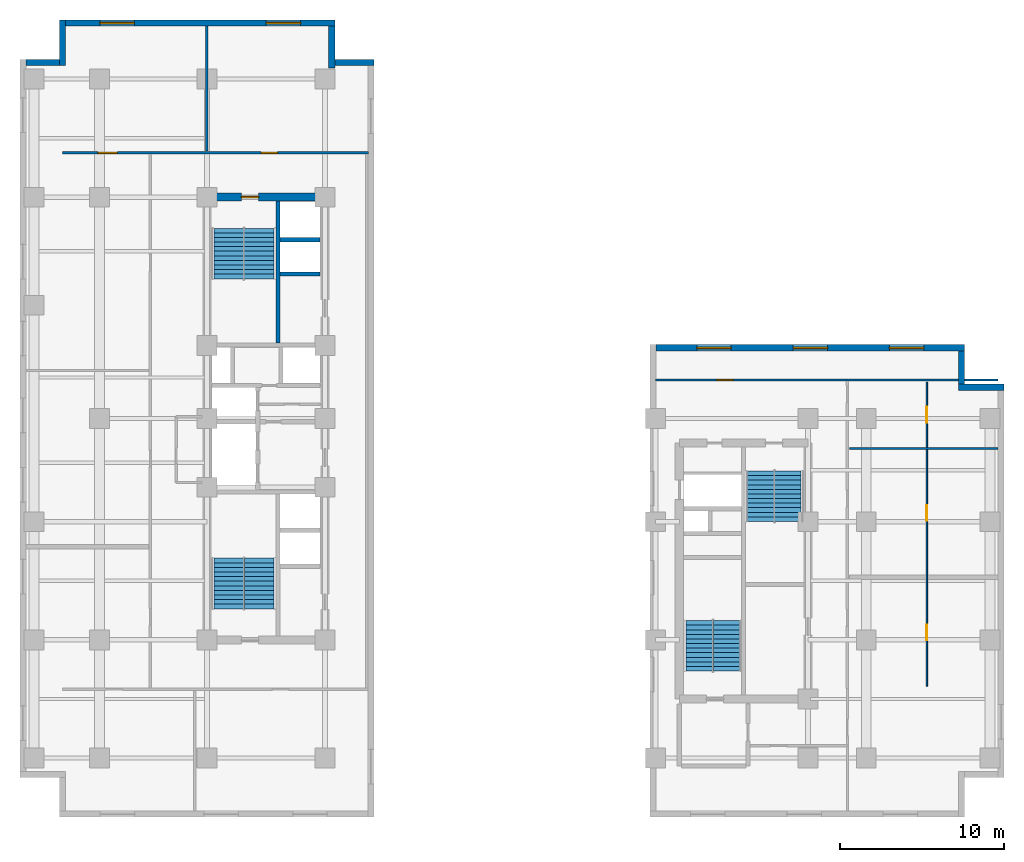
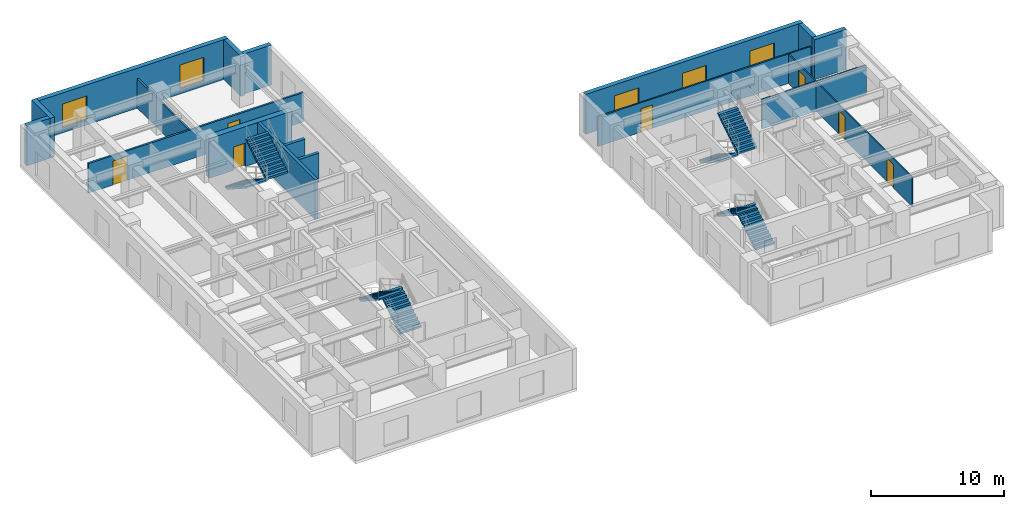
# One storey, part 5 of 8: 17 walls, 8 stair flights, 7 doors, 5 windows, 12 openings, 4 elements without a shape of their own.
"""IFC4 building model written with IfcOpenShell, lengths in metres."""

import ifcopenshell
import ifcopenshell.guid

model = None  # the IFC model being written
_history = None  # IfcOwnerHistory: only IFC2X3 demands one
_inside = {}  # id of a spatial element -> (the spatial element, [elements in it])
_under = {}  # id of a project, library or spatial element -> (it, [spatial elements below it])
_declared = {}  # id of a project -> (the project, [libraries it declares])
_typed = {}  # id of a type object -> (the type object, [elements of that type])
_made_of = {}  # id of a material, layer set ... -> (it, [elements and type objects made of it])


def new_model(schema):
    """Start an empty IFC model of exactly this schema.

    Asked for "IFC4X3", IfcOpenShell would pick the latest addendum, in which some entities
    have other attributes; the version numbers below select the first issue.
    IFC2X3 requires an IfcOwnerHistory on every rooted entity: one is made here for all.
    """
    global model, _history
    if schema == "IFC4X3":
        model = ifcopenshell.file(schema_version=(4, 3, 0, 0))
    else:
        model = ifcopenshell.file(schema=schema)
    _inside.clear()
    _under.clear()
    _declared.clear()
    _typed.clear()
    _made_of.clear()
    _history = None
    if model.schema == "IFC2X3":
        org = make("IfcOrganization", Name="unknown")
        user = make(
            "IfcPersonAndOrganization",
            ThePerson=make("IfcPerson", FamilyName="unknown"),
            TheOrganization=org,
        )
        app = make(
            "IfcApplication",
            ApplicationDeveloper=org,
            Version="unknown",
            ApplicationFullName="unknown",
            ApplicationIdentifier="unknown",
        )
        _history = make(
            "IfcOwnerHistory",
            OwningUser=user,
            OwningApplication=app,
            ChangeAction="ADDED",
            CreationDate=0,
        )
    return model


def make(cls, **values):
    """One entity of the class cls with the attributes given. An attribute that is None is left unset."""
    return model.create_entity(
        cls, **{name: value for name, value in values.items() if value is not None}
    )


def entity(cls, *values):
    """Any entity or typed value of the class cls, its attributes in the order of the schema. None: left unset."""
    e = model.create_entity(cls)
    for i, value in enumerate(values):
        if value is not None:
            e[i] = value
    return e


def rooted(cls, **values):
    """An entity with a GlobalId (a new one), such as an element, a storey or a relation."""
    return make(cls, GlobalId=ifcopenshell.guid.new(), OwnerHistory=_history, **values)


def si_unit(unit_type, name, prefix=None):
    """IfcSIUnit, for example si_unit("LENGTHUNIT", "METRE", prefix="MILLI")."""
    return make("IfcSIUnit", UnitType=unit_type, Prefix=prefix, Name=name)


def converted_unit(unit_type, name, factor, base, dimensions=None, offset=None):
    """IfcConversionBasedUnit, such as the inch: factor (a typed value) times the base unit."""
    return make(
        "IfcConversionBasedUnit"
        if offset is None
        else "IfcConversionBasedUnitWithOffset",
        ConversionOffset=offset,
        Dimensions=None
        if dimensions is None
        else entity("IfcDimensionalExponents", *dimensions),
        UnitType=unit_type,
        Name=name,
        ConversionFactor=make(
            "IfcMeasureWithUnit", ValueComponent=factor, UnitComponent=base
        ),
    )


def assignment(units):
    """IfcUnitAssignment: the units of a project."""
    return None if units is None else make("IfcUnitAssignment", Units=units)


def point(xyz):
    """IfcCartesianPoint."""
    return None if xyz is None else make("IfcCartesianPoint", Coordinates=xyz)


def direction(xyz):
    """IfcDirection."""
    return None if xyz is None else make("IfcDirection", DirectionRatios=xyz)


def frame(location, z_axis=None, x_axis=None):
    """IfcAxis2Placement3D, a coordinate frame: its origin and axes. An axis left out is left unset."""
    return make(
        "IfcAxis2Placement3D",
        Location=point(location),
        Axis=direction(z_axis),
        RefDirection=direction(x_axis),
    )


def frame_2d(location, x_axis=None):
    """IfcAxis2Placement2D, a coordinate frame in the plane: its origin and x axis."""
    return make(
        "IfcAxis2Placement2D", Location=point(location), RefDirection=direction(x_axis)
    )


def origin_with_axes():
    """The frame at (0, 0, 0) with the z axis (0, 0, 1) and the x axis (1, 0, 0) written out."""
    return frame((0.0, 0.0, 0.0), z_axis=(0.0, 0.0, 1.0), x_axis=(1.0, 0.0, 0.0))


def origin_2d_with_axis():
    """The frame at (0, 0) in the plane with the x axis (1, 0) written out."""
    return frame_2d((0.0, 0.0), x_axis=(1.0, 0.0))


def place(relative_to, where):
    """IfcLocalPlacement: puts the frame where relative to a parent placement (None: the world)."""
    return make(
        "IfcLocalPlacement", PlacementRelTo=relative_to, RelativePlacement=where
    )


def context(
    kind, dimensions, precision=None, world=None, true_north=None, identifier=None
):
    """IfcGeometricRepresentationContext, for example the 3D "Model" context."""
    return make(
        "IfcGeometricRepresentationContext",
        ContextIdentifier=identifier,
        ContextType=kind,
        CoordinateSpaceDimension=dimensions,
        Precision=precision,
        WorldCoordinateSystem=world,
        TrueNorth=true_north,
    )


def subcontext(parent, identifier, kind, view, scale=None):
    """IfcGeometricRepresentationSubContext, for example "Body" below "Model"."""
    return make(
        "IfcGeometricRepresentationSubContext",
        ContextIdentifier=identifier,
        ContextType=kind,
        ParentContext=parent,
        TargetScale=scale,
        TargetView=view,
    )


def project(units=None, contexts=None):
    """IfcProject with its units and contexts."""
    return rooted(
        "IfcProject",
        Name="project",
        RepresentationContexts=contexts,
        UnitsInContext=assignment(units),
    )


def spatial(cls, under=None, at=None, **own):
    """A site, building, storey or space (cls), placed at a placement, below another one or the project."""
    s = rooted(cls, ObjectPlacement=at, **own)
    if under is not None:
        _under.setdefault(under.id(), (under, []))[1].append(s)
    return s


def polyline(points):
    """IfcPolyline through the points."""
    return make("IfcPolyline", Points=[point(p) for p in points])


def profile(cls, at=None, kind="AREA", **sizes):
    """A parametric profile (cls). Its sizes go by their IFC names, for example OverallWidth=200.0."""
    return make(cls, ProfileType=kind, Position=at, **sizes)


def rectangle(**sizes):
    """IfcRectangleProfileDef."""
    return profile("IfcRectangleProfileDef", **sizes)


def outline(outer, holes=None, kind="AREA"):
    """IfcArbitraryClosedProfileDef: a profile drawn as a closed curve; with holes, ...WithVoids."""
    if holes is None:
        return make("IfcArbitraryClosedProfileDef", ProfileType=kind, OuterCurve=outer)
    return make(
        "IfcArbitraryProfileDefWithVoids",
        ProfileType=kind,
        OuterCurve=outer,
        InnerCurves=holes,
    )


def extrude(swept, where, along, depth):
    """IfcExtrudedAreaSolid: the profile swept, set in the frame where, extruded along a direction by depth."""
    return make(
        "IfcExtrudedAreaSolid",
        SweptArea=swept,
        Position=where,
        ExtrudedDirection=direction(along),
        Depth=depth,
    )


def shape(context_of_items, identifier, shape_type, items):
    """IfcShapeRepresentation: the items that make up one representation, for example the "Body"."""
    return make(
        "IfcShapeRepresentation",
        ContextOfItems=context_of_items,
        RepresentationIdentifier=identifier,
        RepresentationType=shape_type,
        Items=items,
    )


def material(Name=None, Category=None):
    """IfcMaterial."""
    return make("IfcMaterial", Name=Name, Category=Category)


def layer(
    of_material, thickness, ventilated=None, Name=None, Category=None, Priority=None
):
    """IfcMaterialLayer: one layer of a wall or slab, of a material (None: an air gap)."""
    return make(
        "IfcMaterialLayer",
        Material=of_material,
        LayerThickness=thickness,
        IsVentilated=ventilated,
        Name=Name,
        Category=Category,
        Priority=Priority,
    )


def layer_set(layers, Name=None):
    """IfcMaterialLayerSet."""
    return make("IfcMaterialLayerSet", MaterialLayers=layers, LayerSetName=Name)


def made_of(thing, what):
    """Note that an element or type object is made of a material, layer set ...; save() writes the relation."""
    if what is not None:
        _made_of.setdefault(what.id(), (what, []))[1].append(thing)
    return thing


def type_object(cls, material=None, **own):
    """A type object (cls), such as IfcWallType, which elements share."""
    return made_of(rooted(cls, **own), material)


def element(
    cls,
    number,
    at=None,
    inside=None,
    cuts=None,
    type_object=None,
    material=None,
    context=None,
    identifier="Body",
    shape_type=None,
    held_by="IfcProductDefinitionShape",
    body=None,
    shapes=None,
    **own,
):
    """One element of the class cls, such as IfcWall. Its Tag is "e" and its number.

    at: its placement. inside: the storey or other place that contains it. cuts: it is an
    opening in that element (IfcRelVoidsElement). A single representation is given by context,
    identifier, shape_type and body (its items); several are given by shapes. held_by: the class
    of the entity that holds the representations. save() writes the other relations.
    """
    e = rooted(cls, Tag="e%d" % number, ObjectPlacement=at, **own)
    if body is not None:
        shapes = [shape(context, identifier, shape_type, body)]
    if shapes is not None:
        e.Representation = make(held_by, Representations=shapes)
    if inside is not None:
        _inside.setdefault(inside.id(), (inside, []))[1].append(e)
    if cuts is not None:
        rooted(
            "IfcRelVoidsElement", RelatingBuildingElement=cuts, RelatedOpeningElement=e
        )
    if type_object is not None:
        _typed.setdefault(type_object.id(), (type_object, []))[1].append(e)
    return made_of(e, material)


def fill(opening, filler):
    """IfcRelFillsElement: the door or window that sits in an opening."""
    return rooted(
        "IfcRelFillsElement",
        RelatingOpeningElement=opening,
        RelatedBuildingElement=filler,
    )


def aggregate(whole, parts):
    """IfcRelAggregates: a whole, such as a stair, and the parts it consists of."""
    return rooted("IfcRelAggregates", RelatingObject=whole, RelatedObjects=parts)


def save(model, path):
    """Write the relations noted so far, then the file.

    IfcRelAggregates (storeys below a building ...), IfcRelContainedInSpatialStructure (elements
    in a storey), IfcRelDefinesByType, IfcRelAssociatesMaterial and IfcRelDeclares: one each for
    every whole, place, type object, material and project.
    """
    for whole, parts in _under.values():
        aggregate(whole, parts)
    for where, things in _inside.values():
        rooted(
            "IfcRelContainedInSpatialStructure",
            RelatedElements=things,
            RelatingStructure=where,
        )
    for kind, things in _typed.values():
        rooted("IfcRelDefinesByType", RelatedObjects=things, RelatingType=kind)
    for what, things in _made_of.values():
        rooted("IfcRelAssociatesMaterial", RelatedObjects=things, RelatingMaterial=what)
    for by, libraries in _declared.values():
        rooted("IfcRelDeclares", RelatingContext=by, RelatedDefinitions=libraries)
    model.write(path)


model = new_model("IFC4")

# Units and contexts
model_context = context("Model", 3, precision=1e-05, world=origin_with_axes(), true_north=direction((0.0, 1.0)))
body_context = subcontext(model_context, "Body", "Model", "MODEL_VIEW")
ifc_project = project(units=[si_unit("LENGTHUNIT", "METRE"), si_unit("AREAUNIT", "SQUARE_METRE"), si_unit("VOLUMEUNIT", "CUBIC_METRE"), converted_unit("PLANEANGLEUNIT", "DEGREE", entity("IfcPlaneAngleMeasure", 0.017453292519943295), si_unit("PLANEANGLEUNIT", "RADIAN"), dimensions=[0, 0, 0, 0, 0, 0, 0]), si_unit("MASSUNIT", "GRAM", prefix="KILO"), si_unit("THERMODYNAMICTEMPERATUREUNIT", "KELVIN")], contexts=[model_context])

# Site, building, storey
site_placement = place(None, origin_with_axes())
site = spatial("IfcSite", under=ifc_project, at=site_placement, CompositionType="ELEMENT")
building_placement = place(site_placement, origin_with_axes())
building = spatial("IfcBuilding", under=site, at=building_placement, Name="Varnlund Millrace Tower", CompositionType="ELEMENT")
storey_placement = place(building_placement, frame((0.0, 0.0, 89.1), z_axis=(0.0, 0.0, 1.0), x_axis=(1.0, 0.0, 0.0)))
storey = spatial("IfcBuildingStorey", under=building, at=storey_placement, Name="L21", CompositionType="ELEMENT", Elevation=89.1)

# Wall, opening, door
ifc_material_1 = material(Name="Concrete C70/85", Category="concrete")
ifc_layer_1 = layer(ifc_material_1, 0.5, Name="Concrete C70/85")
ifc_layer_set_1 = layer_set([ifc_layer_1], Name="Concrete C70/85")
wall_type_1 = type_object("IfcWallType", Name="Type-CoreWall-Shear-500-C70", PredefinedType="SHEAR", material=ifc_layer_set_1)
wall_1_placement = place(storey_placement, frame((11.4, 37.8, 0.0), z_axis=(0.0, 0.0, 1.0), x_axis=(1.0, 0.0, 0.0)))
wall_1 = element("IfcWall", 1, at=wall_1_placement, inside=storey, type_object=wall_type_1, Name="Type-CoreWall-Shear-500-C70", PredefinedType="SHEAR", context=body_context, shape_type="SweptSolid", body=[
    extrude(outline(polyline([(0.0, -0.25), (7.2, -0.25), (7.2, 0.25), (0.0, 0.25), (0.0, -0.25)])), origin_with_axes(), (0.0, 0.0, 1.0), 3.66),
])
opening_1_placement = place(wall_1_placement, frame((2.625, 0.0, 0.0), z_axis=(0.0, 0.0, 1.0), x_axis=(1.0, 0.0, 0.0)))
opening_1 = element("IfcOpeningElement", 2, at=opening_1_placement, cuts=wall_1, Name="Opening L21:DR-STA2", PredefinedType="OPENING", context=body_context, shape_type="SweptSolid", body=[
    extrude(rectangle(XDim=1.05, YDim=0.52, at=origin_2d_with_axis()), origin_with_axes(), (0.0, 0.0, 1.0), 2.15),
])
ifc_material_2 = material(Name="Fire-rated hollow steel door", Category="steel")
door_type_1 = type_object("IfcDoorType", Name="Type-FireDoor-Stair-1050X2150", OperationType="NOTDEFINED", PredefinedType="DOOR", material=ifc_material_2)
door_1_placement = place(wall_1_placement, frame((2.625, 0.0, 0.0), z_axis=(0.0, 0.0, 1.0), x_axis=(1.0, 0.0, 0.0)))
door_1 = element("IfcDoor", 3, at=door_1_placement, inside=storey, type_object=door_type_1, Name="Type-FireDoor-Stair-1050X2150", OperationType="SINGLE_SWING_RIGHT", OverallHeight=2.15, OverallWidth=1.05, PredefinedType="DOOR", context=body_context, shape_type="SweptSolid", body=[
    extrude(rectangle(XDim=1.05, YDim=0.09, at=origin_2d_with_axis()), origin_with_axes(), (0.0, 0.0, 1.0), 2.15),
])
fill(opening_1, door_1)

# Walls
ifc_material_3 = material(Name="Precast concrete C50/60", Category="concrete")
ifc_layer_2 = layer(ifc_material_3, 0.38, Name="Precast concrete C50/60")
ifc_layer_set_2 = layer_set([ifc_layer_2], Name="Precast concrete C50/60")
wall_type_2 = type_object("IfcWallType", Name="Type-ExtWall-Precast-Tube-380", PredefinedType="SOLIDWALL", material=ifc_layer_set_2)
wall_2_placement = place(storey_placement, frame((0.38, 46.01, 0.0), z_axis=(0.0, 0.0, 1.0), x_axis=(1.0, 0.0, 0.0)))
element("IfcWall", 4, at=wall_2_placement, inside=storey, type_object=wall_type_2, Name="Type-ExtWall-Precast-Tube-380", PredefinedType="SOLIDWALL", context=body_context, shape_type="SweptSolid", body=[
    extrude(outline(polyline([(0.0, -0.19), (2.02, -0.19), (2.02, 0.19), (0.0, 0.19), (0.0, -0.19)])), origin_with_axes(), (0.0, 0.0, 1.0), 3.66),
])
wall_3_placement = place(storey_placement, frame((2.59, 45.82, 0.0), z_axis=(0.0, 0.0, 1.0), x_axis=(0.0, 1.0, 0.0)))
element("IfcWall", 5, at=wall_3_placement, inside=storey, type_object=wall_type_2, Name="Type-ExtWall-Precast-Tube-380", PredefinedType="SOLIDWALL", context=body_context, shape_type="SweptSolid", body=[
    extrude(outline(polyline([(0.0, -0.19), (2.78, -0.19), (2.78, 0.19), (0.0, 0.19), (0.0, -0.19)])), origin_with_axes(), (0.0, 0.0, 1.0), 3.66),
])

# Wall, openings, windows
wall_4_placement = place(storey_placement, frame((2.78, 48.41, 0.0), z_axis=(0.0, 0.0, 1.0), x_axis=(1.0, 0.0, 0.0)))
wall_4 = element("IfcWall", 6, at=wall_4_placement, inside=storey, type_object=wall_type_2, Name="Type-ExtWall-Precast-Tube-380", PredefinedType="SOLIDWALL", context=body_context, shape_type="SweptSolid", body=[
    extrude(outline(polyline([(0.0, -0.19), (16.42, -0.19), (16.42, 0.19), (0.0, 0.19), (0.0, -0.19)])), origin_with_axes(), (0.0, 0.0, 1.0), 3.66),
])
opening_2_placement = place(wall_4_placement, frame((3.137, 0.0, 0.45), z_axis=(0.0, 0.0, 1.0), x_axis=(1.0, 0.0, 0.0)))
opening_2 = element("IfcOpeningElement", 7, at=opening_2_placement, cuts=wall_4, Name="Opening L21:WN-08", PredefinedType="OPENING", context=body_context, shape_type="SweptSolid", body=[
    extrude(rectangle(XDim=2.1, YDim=0.4, at=origin_2d_with_axis()), origin_with_axes(), (0.0, 0.0, 1.0), 2.2),
])
opening_3_placement = place(wall_4_placement, frame((13.283, 0.0, 0.45), z_axis=(0.0, 0.0, 1.0), x_axis=(1.0, 0.0, 0.0)))
opening_3 = element("IfcOpeningElement", 8, at=opening_3_placement, cuts=wall_4, Name="Opening L21:WN-09", PredefinedType="OPENING", context=body_context, shape_type="SweptSolid", body=[
    extrude(rectangle(XDim=2.1, YDim=0.4, at=origin_2d_with_axis()), origin_with_axes(), (0.0, 0.0, 1.0), 2.2),
])
ifc_material_4 = material(Name="Argon low-e triple glazing in thermally broken bronze frame", Category="glass")
window_type = type_object("IfcWindowType", Name="Type-Window-Punched-2100X2200", PartitioningType="SINGLE_PANEL", PredefinedType="WINDOW", material=ifc_material_4)
window_1_placement = place(wall_4_placement, frame((3.137, 0.0, 0.45), z_axis=(0.0, 0.0, 1.0), x_axis=(1.0, 0.0, 0.0)))
window_1 = element("IfcWindow", 9, at=window_1_placement, inside=storey, type_object=window_type, Name="Type-Window-Punched-2100X2200", OverallHeight=2.2, OverallWidth=2.1, PredefinedType="WINDOW", context=body_context, shape_type="SweptSolid", body=[
    extrude(rectangle(XDim=2.1, YDim=0.09, at=origin_2d_with_axis()), origin_with_axes(), (0.0, 0.0, 1.0), 2.2),
])
fill(opening_2, window_1)
window_2_placement = place(wall_4_placement, frame((13.283, 0.0, 0.45), z_axis=(0.0, 0.0, 1.0), x_axis=(1.0, 0.0, 0.0)))
window_2 = element("IfcWindow", 10, at=window_2_placement, inside=storey, type_object=window_type, Name="Type-Window-Punched-2100X2200", OverallHeight=2.2, OverallWidth=2.1, PredefinedType="WINDOW", context=body_context, shape_type="SweptSolid", body=[
    extrude(rectangle(XDim=2.1, YDim=0.09, at=origin_2d_with_axis()), origin_with_axes(), (0.0, 0.0, 1.0), 2.2),
])
fill(opening_3, window_2)

# Walls
wall_5_placement = place(storey_placement, frame((19.01, 48.22, 0.0), z_axis=(0.0, 0.0, 1.0), x_axis=(0.0, -1.0, 0.0)))
element("IfcWall", 11, at=wall_5_placement, inside=storey, type_object=wall_type_2, Name="Type-ExtWall-Precast-Tube-380", PredefinedType="SOLIDWALL", context=body_context, shape_type="SweptSolid", body=[
    extrude(outline(polyline([(0.0, -0.19), (2.56, -0.19), (2.56, 0.19), (0.0, 0.19), (0.0, -0.19)])), origin_with_axes(), (0.0, 0.0, 1.0), 3.66),
])
wall_6_placement = place(storey_placement, frame((18.82, 46.01, 0.0), z_axis=(0.0, 0.0, 1.0), x_axis=(1.0, 0.0, 0.0)))
element("IfcWall", 12, at=wall_6_placement, inside=storey, type_object=wall_type_2, Name="Type-ExtWall-Precast-Tube-380", PredefinedType="SOLIDWALL", context=body_context, shape_type="SweptSolid", body=[
    extrude(outline(polyline([(0.0, -0.19), (2.78, -0.19), (2.78, 0.19), (0.0, 0.19), (0.0, -0.19)])), origin_with_axes(), (0.0, 0.0, 1.0), 3.66),
])

# Wall, openings, windows
wall_7_placement = place(storey_placement, frame((38.78, 28.61, 0.0), z_axis=(0.0, 0.0, 1.0), x_axis=(1.0, 0.0, 0.0)))
wall_7 = element("IfcWall", 13, at=wall_7_placement, inside=storey, type_object=wall_type_2, Name="Type-ExtWall-Precast-Tube-380", PredefinedType="SOLIDWALL", context=body_context, shape_type="SweptSolid", body=[
    extrude(outline(polyline([(0.0, -0.19), (18.82, -0.19), (18.82, 0.19), (0.0, 0.19), (0.0, -0.19)])), origin_with_axes(), (0.0, 0.0, 1.0), 3.66),
])
opening_4_placement = place(wall_7_placement, frame((3.537, 0.0, 0.45), z_axis=(0.0, 0.0, 1.0), x_axis=(1.0, 0.0, 0.0)))
opening_4 = element("IfcOpeningElement", 14, at=opening_4_placement, cuts=wall_7, Name="Opening L21:WN-15", PredefinedType="OPENING", context=body_context, shape_type="SweptSolid", body=[
    extrude(rectangle(XDim=2.1, YDim=0.4, at=origin_2d_with_axis()), origin_with_axes(), (0.0, 0.0, 1.0), 2.2),
])
opening_5_placement = place(wall_7_placement, frame((9.41, 0.0, 0.45), z_axis=(0.0, 0.0, 1.0), x_axis=(1.0, 0.0, 0.0)))
opening_5 = element("IfcOpeningElement", 15, at=opening_5_placement, cuts=wall_7, Name="Opening L21:WN-16", PredefinedType="OPENING", context=body_context, shape_type="SweptSolid", body=[
    extrude(rectangle(XDim=2.1, YDim=0.4, at=origin_2d_with_axis()), origin_with_axes(), (0.0, 0.0, 1.0), 2.2),
])
opening_6_placement = place(wall_7_placement, frame((15.283, 0.0, 0.45), z_axis=(0.0, 0.0, 1.0), x_axis=(1.0, 0.0, 0.0)))
opening_6 = element("IfcOpeningElement", 16, at=opening_6_placement, cuts=wall_7, Name="Opening L21:WN-17", PredefinedType="OPENING", context=body_context, shape_type="SweptSolid", body=[
    extrude(rectangle(XDim=2.1, YDim=0.4, at=origin_2d_with_axis()), origin_with_axes(), (0.0, 0.0, 1.0), 2.2),
])
window_3_placement = place(wall_7_placement, frame((3.537, 0.0, 0.45), z_axis=(0.0, 0.0, 1.0), x_axis=(1.0, 0.0, 0.0)))
window_3 = element("IfcWindow", 17, at=window_3_placement, inside=storey, type_object=window_type, Name="Type-Window-Punched-2100X2200", OverallHeight=2.2, OverallWidth=2.1, PredefinedType="WINDOW", context=body_context, shape_type="SweptSolid", body=[
    extrude(rectangle(XDim=2.1, YDim=0.09, at=origin_2d_with_axis()), origin_with_axes(), (0.0, 0.0, 1.0), 2.2),
])
fill(opening_4, window_3)
window_4_placement = place(wall_7_placement, frame((9.41, 0.0, 0.45), z_axis=(0.0, 0.0, 1.0), x_axis=(1.0, 0.0, 0.0)))
window_4 = element("IfcWindow", 18, at=window_4_placement, inside=storey, type_object=window_type, Name="Type-Window-Punched-2100X2200", OverallHeight=2.2, OverallWidth=2.1, PredefinedType="WINDOW", context=body_context, shape_type="SweptSolid", body=[
    extrude(rectangle(XDim=2.1, YDim=0.09, at=origin_2d_with_axis()), origin_with_axes(), (0.0, 0.0, 1.0), 2.2),
])
fill(opening_5, window_4)
window_5_placement = place(wall_7_placement, frame((15.283, 0.0, 0.45), z_axis=(0.0, 0.0, 1.0), x_axis=(1.0, 0.0, 0.0)))
window_5 = element("IfcWindow", 19, at=window_5_placement, inside=storey, type_object=window_type, Name="Type-Window-Punched-2100X2200", OverallHeight=2.2, OverallWidth=2.1, PredefinedType="WINDOW", context=body_context, shape_type="SweptSolid", body=[
    extrude(rectangle(XDim=2.1, YDim=0.09, at=origin_2d_with_axis()), origin_with_axes(), (0.0, 0.0, 1.0), 2.2),
])
fill(opening_6, window_5)

# Walls
wall_8_placement = place(storey_placement, frame((57.41, 28.42, 0.0), z_axis=(0.0, 0.0, 1.0), x_axis=(0.0, -1.0, 0.0)))
element("IfcWall", 20, at=wall_8_placement, inside=storey, type_object=wall_type_2, Name="Type-ExtWall-Precast-Tube-380", PredefinedType="SOLIDWALL", context=body_context, shape_type="SweptSolid", body=[
    extrude(outline(polyline([(0.0, -0.19), (2.02, -0.19), (2.02, 0.19), (0.0, 0.19), (0.0, -0.19)])), origin_with_axes(), (0.0, 0.0, 1.0), 3.66),
])
wall_9_placement = place(storey_placement, frame((57.22, 26.21, 0.0), z_axis=(0.0, 0.0, 1.0), x_axis=(1.0, 0.0, 0.0)))
element("IfcWall", 21, at=wall_9_placement, inside=storey, type_object=wall_type_2, Name="Type-ExtWall-Precast-Tube-380", PredefinedType="SOLIDWALL", context=body_context, shape_type="SweptSolid", body=[
    extrude(outline(polyline([(0.0, -0.19), (2.78, -0.19), (2.78, 0.19), (0.0, 0.19), (0.0, -0.19)])), origin_with_axes(), (0.0, 0.0, 1.0), 3.66),
])

# Wall, openings, doors
ifc_material_5 = material(Name="Fire-rated gypsum board on cold-formed steel framing", Category="steel")
ifc_layer_3 = layer(ifc_material_5, 0.16, Name="Fire-rated gypsum board on cold-formed steel framing")
ifc_layer_set_3 = layer_set([ifc_layer_3], Name="Fire-rated gypsum board on cold-formed steel framing")
wall_type_3 = type_object("IfcWallType", Name="Type-Partition-Corridor-160", PredefinedType="PARTITIONING", material=ifc_layer_set_3)
wall_10_placement = place(storey_placement, frame((2.6, 40.5, 0.0), z_axis=(0.0, 0.0, 1.0), x_axis=(1.0, 0.0, 0.0)))
wall_10 = element("IfcWall", 22, at=wall_10_placement, inside=storey, type_object=wall_type_3, Name="Type-Partition-Corridor-160", PredefinedType="PARTITIONING", context=body_context, shape_type="SweptSolid", body=[
    extrude(outline(polyline([(0.0, -0.08), (18.65, -0.08), (18.65, 0.08), (0.0, 0.08), (0.0, -0.08)])), origin_with_axes(), (0.0, 0.0, 1.0), 2.7),
])
opening_7_placement = place(wall_10_placement, frame((2.745, 0.0, 0.0), z_axis=(0.0, 0.0, 1.0), x_axis=(1.0, 0.0, 0.0)))
opening_7 = element("IfcOpeningElement", 23, at=opening_7_placement, cuts=wall_10, Name="Opening L21:DR-WAN-01", PredefinedType="OPENING", context=body_context, shape_type="SweptSolid", body=[
    extrude(rectangle(XDim=1.2, YDim=0.18, at=origin_2d_with_axis()), origin_with_axes(), (0.0, 0.0, 1.0), 2.2),
])
opening_8_placement = place(wall_10_placement, frame((12.61, 0.0, 0.0), z_axis=(0.0, 0.0, 1.0), x_axis=(1.0, 0.0, 0.0)))
opening_8 = element("IfcOpeningElement", 24, at=opening_8_placement, cuts=wall_10, Name="Opening L21:DR-WAN-02", PredefinedType="OPENING", context=body_context, shape_type="SweptSolid", body=[
    extrude(rectangle(XDim=1.0, YDim=0.18, at=origin_2d_with_axis()), origin_with_axes(), (0.0, 0.0, 1.0), 2.15),
])
ifc_material_6 = material(Name="Wide executive white oak acoustic door")
door_type_2 = type_object("IfcDoorType", Name="Type-IntDoor-Exec-1200X2200", OperationType="NOTDEFINED", PredefinedType="DOOR", material=ifc_material_6)
door_2_placement = place(wall_10_placement, frame((2.745, 0.0, 0.0), z_axis=(0.0, 0.0, 1.0), x_axis=(1.0, 0.0, 0.0)))
door_2 = element("IfcDoor", 25, at=door_2_placement, inside=storey, type_object=door_type_2, Name="Type-IntDoor-Exec-1200X2200", OperationType="SINGLE_SWING_LEFT", OverallHeight=2.2, OverallWidth=1.2, PredefinedType="DOOR", context=body_context, shape_type="SweptSolid", body=[
    extrude(rectangle(XDim=1.2, YDim=0.09, at=origin_2d_with_axis()), origin_with_axes(), (0.0, 0.0, 1.0), 2.2),
])
fill(opening_7, door_2)
ifc_material_7 = material(Name="Solid-core white oak and bronze frame door")
door_type_3 = type_object("IfcDoorType", Name="Type-IntDoor-Office-1000X2150", OperationType="NOTDEFINED", PredefinedType="DOOR", material=ifc_material_7)
door_3_placement = place(wall_10_placement, frame((12.61, 0.0, 0.0), z_axis=(0.0, 0.0, 1.0), x_axis=(1.0, 0.0, 0.0)))
door_3 = element("IfcDoor", 26, at=door_3_placement, inside=storey, type_object=door_type_3, Name="Type-IntDoor-Office-1000X2150", OperationType="SINGLE_SWING_RIGHT", OverallHeight=2.15, OverallWidth=1.0, PredefinedType="DOOR", context=body_context, shape_type="SweptSolid", body=[
    extrude(rectangle(XDim=1.0, YDim=0.09, at=origin_2d_with_axis()), origin_with_axes(), (0.0, 0.0, 1.0), 2.15),
])
fill(opening_8, door_3)

# Wall
ifc_material_8 = material(Name="Acoustic STC-50 gypsum board partition", Category="gypsum")
ifc_layer_4 = layer(ifc_material_8, 0.15, Name="Acoustic STC-50 gypsum board partition")
ifc_layer_set_4 = layer_set([ifc_layer_4], Name="Acoustic STC-50 gypsum board partition")
wall_type_4 = type_object("IfcWallType", Name="Type-Partition-Demising-150", PredefinedType="PARTITIONING", material=ifc_layer_set_4)
wall_11_placement = place(storey_placement, frame((11.4, 40.6, 0.0), z_axis=(0.0, 0.0, 1.0), x_axis=(0.0, 1.0, 0.0)))
element("IfcWall", 27, at=wall_11_placement, inside=storey, type_object=wall_type_4, Name="Type-Partition-Demising-150", PredefinedType="PARTITIONING", context=body_context, shape_type="SweptSolid", body=[
    extrude(outline(polyline([(0.0, -0.075), (7.64, -0.075), (7.64, 0.075), (0.0, 0.075), (0.0, -0.075)])), origin_with_axes(), (0.0, 0.0, 1.0), 2.7),
])

# Wall, openings, doors
ifc_material_9 = material(Name="Architectural bronze and acoustic glass office front", Category="glass")
ifc_layer_5 = layer(ifc_material_9, 0.1, Name="Architectural bronze and acoustic glass office front")
ifc_layer_set_5 = layer_set([ifc_layer_5], Name="Architectural bronze and acoustic glass office front")
wall_type_5 = type_object("IfcWallType", Name="Type-Partition-Glazed-100", PredefinedType="PARTITIONING", material=ifc_layer_set_5)
wall_12_placement = place(storey_placement, frame((55.3, 7.98, 0.0), z_axis=(0.0, 0.0, 1.0), x_axis=(0.0, 1.0, 0.0)))
wall_12 = element("IfcWall", 28, at=wall_12_placement, inside=storey, type_object=wall_type_5, Name="Type-Partition-Glazed-100", PredefinedType="PARTITIONING", context=body_context, shape_type="SweptSolid", body=[
    extrude(outline(polyline([(0.0, -0.05), (18.54, -0.05), (18.54, 0.05), (0.0, 0.05), (0.0, -0.05)])), origin_with_axes(), (0.0, 0.0, 1.0), 2.7),
])
opening_9_placement = place(wall_12_placement, frame((3.28, 0.0, 0.0), z_axis=(0.0, 0.0, 1.0), x_axis=(1.0, 0.0, 0.0)))
opening_9 = element("IfcOpeningElement", 29, at=opening_9_placement, cuts=wall_12, Name="Opening L21:DR-WB-S01", PredefinedType="OPENING", context=body_context, shape_type="SweptSolid", body=[
    extrude(rectangle(XDim=0.95, YDim=0.12, at=origin_2d_with_axis()), origin_with_axes(), (0.0, 0.0, 1.0), 2.15),
])
opening_10_placement = place(wall_12_placement, frame((10.5595, 0.0, 0.0), z_axis=(0.0, 0.0, 1.0), x_axis=(1.0, 0.0, 0.0)))
opening_10 = element("IfcOpeningElement", 30, at=opening_10_placement, cuts=wall_12, Name="Opening L21:DR-WB-S02", PredefinedType="OPENING", context=body_context, shape_type="SweptSolid", body=[
    extrude(rectangle(XDim=0.95, YDim=0.12, at=origin_2d_with_axis()), origin_with_axes(), (0.0, 0.0, 1.0), 2.15),
])
opening_11_placement = place(wall_12_placement, frame((16.5495, 0.0, 0.0), z_axis=(0.0, 0.0, 1.0), x_axis=(1.0, 0.0, 0.0)))
opening_11 = element("IfcOpeningElement", 31, at=opening_11_placement, cuts=wall_12, Name="Opening L21:DR-WB-S03", PredefinedType="OPENING", context=body_context, shape_type="SweptSolid", body=[
    extrude(rectangle(XDim=0.95, YDim=0.12, at=origin_2d_with_axis()), origin_with_axes(), (0.0, 0.0, 1.0), 2.15),
])
ifc_material_10 = material(Name="Solid-core acoustic office door")
door_type_4 = type_object("IfcDoorType", Name="Type-IntDoor-Tenant-950X2150", OperationType="NOTDEFINED", PredefinedType="DOOR", material=ifc_material_10)
door_4_placement = place(wall_12_placement, frame((3.28, 0.0, 0.0), z_axis=(0.0, 0.0, 1.0), x_axis=(1.0, 0.0, 0.0)))
door_4 = element("IfcDoor", 32, at=door_4_placement, inside=storey, type_object=door_type_4, Name="Type-IntDoor-Tenant-950X2150", OperationType="SINGLE_SWING_LEFT", OverallHeight=2.15, OverallWidth=0.95, PredefinedType="DOOR", context=body_context, shape_type="SweptSolid", body=[
    extrude(rectangle(XDim=0.95, YDim=0.06, at=origin_2d_with_axis()), origin_with_axes(), (0.0, 0.0, 1.0), 2.15),
])
fill(opening_9, door_4)
door_5_placement = place(wall_12_placement, frame((10.5595, 0.0, 0.0), z_axis=(0.0, 0.0, 1.0), x_axis=(1.0, 0.0, 0.0)))
door_5 = element("IfcDoor", 33, at=door_5_placement, inside=storey, type_object=door_type_4, Name="Type-IntDoor-Tenant-950X2150", OperationType="SINGLE_SWING_LEFT", OverallHeight=2.15, OverallWidth=0.95, PredefinedType="DOOR", context=body_context, shape_type="SweptSolid", body=[
    extrude(rectangle(XDim=0.95, YDim=0.06, at=origin_2d_with_axis()), origin_with_axes(), (0.0, 0.0, 1.0), 2.15),
])
fill(opening_10, door_5)
door_6_placement = place(wall_12_placement, frame((16.5495, 0.0, 0.0), z_axis=(0.0, 0.0, 1.0), x_axis=(1.0, 0.0, 0.0)))
door_6 = element("IfcDoor", 34, at=door_6_placement, inside=storey, type_object=door_type_4, Name="Type-IntDoor-Tenant-950X2150", OperationType="SINGLE_SWING_LEFT", OverallHeight=2.15, OverallWidth=0.95, PredefinedType="DOOR", context=body_context, shape_type="SweptSolid", body=[
    extrude(rectangle(XDim=0.95, YDim=0.06, at=origin_2d_with_axis()), origin_with_axes(), (0.0, 0.0, 1.0), 2.15),
])
fill(opening_11, door_6)

# Wall, opening, door
ifc_material_11 = material(Name="Gypsum board tenant partition", Category="gypsum")
ifc_layer_6 = layer(ifc_material_11, 0.125, Name="Gypsum board tenant partition")
ifc_layer_set_6 = layer_set([ifc_layer_6], Name="Gypsum board tenant partition")
wall_type_6 = type_object("IfcWallType", Name="Type-Partition-Tenant-125", PredefinedType="PARTITIONING", material=ifc_layer_set_6)
wall_13_placement = place(storey_placement, frame((38.76, 26.65, 0.0), z_axis=(0.0, 0.0, 1.0), x_axis=(1.0, 0.0, 0.0)))
wall_13 = element("IfcWall", 35, at=wall_13_placement, inside=storey, type_object=wall_type_6, Name="Type-Partition-Tenant-125", PredefinedType="PARTITIONING", context=body_context, shape_type="SweptSolid", body=[
    extrude(outline(polyline([(0.0, -0.0625), (20.88, -0.0625), (20.88, 0.0625), (0.0, 0.0625), (0.0, -0.0625)])), origin_with_axes(), (0.0, 0.0, 1.0), 2.7),
])
opening_12_placement = place(wall_13_placement, frame((4.24, 0.0, 0.0), z_axis=(0.0, 0.0, 1.0), x_axis=(1.0, 0.0, 0.0)))
opening_12 = element("IfcOpeningElement", 36, at=opening_12_placement, cuts=wall_13, Name="Opening L21:DR-WBN-01", PredefinedType="OPENING", context=body_context, shape_type="SweptSolid", body=[
    extrude(rectangle(XDim=1.0, YDim=0.145, at=origin_2d_with_axis()), origin_with_axes(), (0.0, 0.0, 1.0), 2.15),
])
door_7_placement = place(wall_13_placement, frame((4.24, 0.0, 0.0), z_axis=(0.0, 0.0, 1.0), x_axis=(1.0, 0.0, 0.0)))
door_7 = element("IfcDoor", 37, at=door_7_placement, inside=storey, type_object=door_type_3, Name="Type-IntDoor-Office-1000X2150", OperationType="SINGLE_SWING_RIGHT", OverallHeight=2.15, OverallWidth=1.0, PredefinedType="DOOR", context=body_context, shape_type="SweptSolid", body=[
    extrude(rectangle(XDim=1.0, YDim=0.075, at=origin_2d_with_axis()), origin_with_axes(), (0.0, 0.0, 1.0), 2.15),
])
fill(opening_12, door_7)

# Walls
wall_14_placement = place(storey_placement, frame((50.57, 22.469, 0.0), z_axis=(0.0, 0.0, 1.0), x_axis=(1.0, 0.0, 0.0)))
element("IfcWall", 38, at=wall_14_placement, inside=storey, type_object=wall_type_6, Name="Type-Partition-Tenant-125", PredefinedType="PARTITIONING", context=body_context, shape_type="SweptSolid", body=[
    extrude(outline(polyline([(0.0, -0.0625), (9.055, -0.0625), (9.055, 0.0625), (0.0, 0.0625), (0.0, -0.0625)])), origin_with_axes(), (0.0, 0.0, 1.0), 2.7),
])
ifc_material_12 = material(Name="Concrete C60/75", Category="concrete")
ifc_layer_7 = layer(ifc_material_12, 0.25, Name="Concrete C60/75")
ifc_layer_set_7 = layer_set([ifc_layer_7], Name="Concrete C60/75")
wall_type_7 = type_object("IfcWallType", Name="Type-ShaftWall-Fire-250", PredefinedType="SOLIDWALL", material=ifc_layer_set_7)
for number, where, z_axis, x_axis, name in (
    (39, (15.84, 33.1, 0.0), (0.0, 0.0, 1.0), (1.0, 0.0, 0.0), "Type-ShaftWall-Fire-250"),
    (40, (15.84, 35.2, 0.0), (0.0, 0.0, 1.0), (1.0, 0.0, 0.0), "Type-ShaftWall-Fire-250"),
):
    element("IfcWall", number, at=place(storey_placement, frame(where, z_axis=z_axis, x_axis=x_axis)), inside=storey, type_object=wall_type_7, Name=name, PredefinedType="SOLIDWALL", context=body_context, shape_type="SweptSolid", body=[
        extrude(outline(polyline([(0.0, -0.125), (2.46, -0.125), (2.46, 0.125), (0.0, 0.125), (0.0, -0.125)])), origin_with_axes(), (0.0, 0.0, 1.0), 2.7),
    ])
wall_type_8 = type_object("IfcWallType", Name="Type-StairWall-Shear-250", PredefinedType="SHEAR", material=ifc_layer_set_7)
wall_15_placement = place(storey_placement, frame((15.725, 28.9, 0.0), z_axis=(0.0, 0.0, 1.0), x_axis=(0.0, 1.0, 0.0)))
element("IfcWall", 41, at=wall_15_placement, inside=storey, type_object=wall_type_8, Name="Type-StairWall-Shear-250", PredefinedType="SHEAR", context=body_context, shape_type="SweptSolid", body=[
    extrude(outline(polyline([(0.0, -0.125), (8.65, -0.125), (8.65, 0.125), (0.0, 0.125), (0.0, -0.125)])), origin_with_axes(), (0.0, 0.0, 1.0), 3.66),
])

# Stair, stair flights
ifc_material_13 = material(Name="Concrete C50/60", Category="concrete")
stair_type_1 = type_object("IfcStairType", Name="Type-Stair-Dogleg-165-390", PredefinedType="HALF_TURN_STAIR", material=ifc_material_13)
stair_1_placement = place(storey_placement, origin_with_axes())
stair_1 = element("IfcStair", 42, at=stair_1_placement, inside=storey, type_object=stair_type_1, Name="Type-Stair-Dogleg-165-390", PredefinedType="HALF_TURN_STAIR")
stair_flight_type_1 = type_object("IfcStairFlightType", Name="Type-Dogleg-Run-165-390", PredefinedType="STRAIGHT", material=ifc_material_3)
stair_flight_1_placement = place(storey_placement, frame((42.225, 8.9, 0.0), z_axis=(1.0, 0.0, 0.0), x_axis=(0.0, 1.0, 0.0)))
stair_flight_1 = element("IfcStairFlight", 43, at=stair_flight_1_placement, type_object=stair_flight_type_1, Name="ST-B1 flight 1", NumberOfRisers=11, NumberOfTreads=11, PredefinedType="STRAIGHT", RiserHeight=0.177273, TreadLength=0.28, context=body_context, shape_type="SweptSolid", body=[
    extrude(outline(polyline([(0.0, 0.0), (0.0, 0.177273), (0.28, 0.177273), (0.28, 0.354545), (0.56, 0.354545), (0.56, 0.531818), (0.84, 0.531818), (0.84, 0.709091), (1.12, 0.709091), (1.12, 0.886364), (1.4, 0.886364), (1.4, 1.063636), (1.68, 1.063636), (1.68, 1.240909), (1.96, 1.240909), (1.96, 1.418182), (2.24, 1.418182), (2.24, 1.595454), (2.52, 1.595454), (2.52, 1.772727), (2.8, 1.772727), (2.8, 1.95), (3.08, 1.95), (3.08, 1.8), (0.28, 0.0), (0.0, 0.0)])), origin_with_axes(), (0.0, 0.0, 1.0), 1.65),
])
stair_flight_2_placement = place(storey_placement, frame((42.275, 11.98, 1.95), z_axis=(-1.0, 0.0, 0.0), x_axis=(0.0, -1.0, 0.0)))
stair_flight_2 = element("IfcStairFlight", 44, at=stair_flight_2_placement, type_object=stair_flight_type_1, Name="ST-B1 flight 2", NumberOfRisers=11, NumberOfTreads=11, PredefinedType="STRAIGHT", RiserHeight=0.177273, TreadLength=0.28, context=body_context, shape_type="SweptSolid", body=[
    extrude(outline(polyline([(0.0, 0.0), (0.0, 0.177273), (0.28, 0.177273), (0.28, 0.354545), (0.56, 0.354545), (0.56, 0.531818), (0.84, 0.531818), (0.84, 0.709091), (1.12, 0.709091), (1.12, 0.886364), (1.4, 0.886364), (1.4, 1.063636), (1.68, 1.063636), (1.68, 1.240909), (1.96, 1.240909), (1.96, 1.418182), (2.24, 1.418182), (2.24, 1.595454), (2.52, 1.595454), (2.52, 1.772727), (2.8, 1.772727), (2.8, 1.95), (3.08, 1.95), (3.08, 1.8), (0.28, 0.0), (0.0, 0.0)])), origin_with_axes(), (0.0, 0.0, 1.0), 1.65),
])
aggregate(stair_1, [stair_flight_1, stair_flight_2])

stair_2_placement = place(storey_placement, origin_with_axes())
stair_2 = element("IfcStair", 45, at=stair_2_placement, inside=storey, type_object=stair_type_1, Name="Type-Stair-Dogleg-165-390", PredefinedType="HALF_TURN_STAIR")
stair_flight_3_placement = place(storey_placement, frame((46.025, 21.1, 0.0), z_axis=(-1.0, 0.0, 0.0), x_axis=(0.0, -1.0, 0.0)))
stair_flight_3 = element("IfcStairFlight", 46, at=stair_flight_3_placement, type_object=stair_flight_type_1, Name="ST-B2 flight 1", NumberOfRisers=11, NumberOfTreads=11, PredefinedType="STRAIGHT", RiserHeight=0.177273, TreadLength=0.28, context=body_context, shape_type="SweptSolid", body=[
    extrude(outline(polyline([(0.0, 0.0), (0.0, 0.177273), (0.28, 0.177273), (0.28, 0.354545), (0.56, 0.354545), (0.56, 0.531818), (0.84, 0.531818), (0.84, 0.709091), (1.12, 0.709091), (1.12, 0.886364), (1.4, 0.886364), (1.4, 1.063636), (1.68, 1.063636), (1.68, 1.240909), (1.96, 1.240909), (1.96, 1.418182), (2.24, 1.418182), (2.24, 1.595454), (2.52, 1.595454), (2.52, 1.772727), (2.8, 1.772727), (2.8, 1.95), (3.08, 1.95), (3.08, 1.8), (0.28, 0.0), (0.0, 0.0)])), origin_with_axes(), (0.0, 0.0, 1.0), 1.65),
])
stair_flight_4_placement = place(storey_placement, frame((45.975, 18.02, 1.95), z_axis=(1.0, 0.0, 0.0), x_axis=(0.0, 1.0, 0.0)))
stair_flight_4 = element("IfcStairFlight", 47, at=stair_flight_4_placement, type_object=stair_flight_type_1, Name="ST-B2 flight 2", NumberOfRisers=11, NumberOfTreads=11, PredefinedType="STRAIGHT", RiserHeight=0.177273, TreadLength=0.28, context=body_context, shape_type="SweptSolid", body=[
    extrude(outline(polyline([(0.0, 0.0), (0.0, 0.177273), (0.28, 0.177273), (0.28, 0.354545), (0.56, 0.354545), (0.56, 0.531818), (0.84, 0.531818), (0.84, 0.709091), (1.12, 0.709091), (1.12, 0.886364), (1.4, 0.886364), (1.4, 1.063636), (1.68, 1.063636), (1.68, 1.240909), (1.96, 1.240909), (1.96, 1.418182), (2.24, 1.418182), (2.24, 1.595454), (2.52, 1.595454), (2.52, 1.772727), (2.8, 1.772727), (2.8, 1.95), (3.08, 1.95), (3.08, 1.8), (0.28, 0.0), (0.0, 0.0)])), origin_with_axes(), (0.0, 0.0, 1.0), 1.65),
])
aggregate(stair_2, [stair_flight_3, stair_flight_4])

stair_type_2 = type_object("IfcStairType", Name="Type-Stair-Dogleg-185-390", PredefinedType="HALF_TURN_STAIR", material=ifc_material_13)
stair_3_placement = place(storey_placement, origin_with_axes())
stair_3 = element("IfcStair", 48, at=stair_3_placement, inside=storey, type_object=stair_type_2, Name="Type-Stair-Dogleg-185-390", PredefinedType="HALF_TURN_STAIR")
stair_flight_type_2 = type_object("IfcStairFlightType", Name="Type-Dogleg-Run-185-390", PredefinedType="STRAIGHT", material=ifc_material_3)
stair_flight_5_placement = place(storey_placement, frame((13.625, 12.7, 0.0), z_axis=(1.0, 0.0, 0.0), x_axis=(0.0, 1.0, 0.0)))
stair_flight_5 = element("IfcStairFlight", 49, at=stair_flight_5_placement, type_object=stair_flight_type_2, Name="ST-A1 flight 1", NumberOfRisers=11, NumberOfTreads=11, PredefinedType="STRAIGHT", RiserHeight=0.177273, TreadLength=0.28, context=body_context, shape_type="SweptSolid", body=[
    extrude(outline(polyline([(0.0, 0.0), (0.0, 0.177273), (0.28, 0.177273), (0.28, 0.354545), (0.56, 0.354545), (0.56, 0.531818), (0.84, 0.531818), (0.84, 0.709091), (1.12, 0.709091), (1.12, 0.886364), (1.4, 0.886364), (1.4, 1.063636), (1.68, 1.063636), (1.68, 1.240909), (1.96, 1.240909), (1.96, 1.418182), (2.24, 1.418182), (2.24, 1.595454), (2.52, 1.595454), (2.52, 1.772727), (2.8, 1.772727), (2.8, 1.95), (3.08, 1.95), (3.08, 1.8), (0.28, 0.0), (0.0, 0.0)])), origin_with_axes(), (0.0, 0.0, 1.0), 1.85),
])
stair_flight_6_placement = place(storey_placement, frame((13.675, 15.78, 1.95), z_axis=(-1.0, 0.0, 0.0), x_axis=(0.0, -1.0, 0.0)))
stair_flight_6 = element("IfcStairFlight", 50, at=stair_flight_6_placement, type_object=stair_flight_type_2, Name="ST-A1 flight 2", NumberOfRisers=11, NumberOfTreads=11, PredefinedType="STRAIGHT", RiserHeight=0.177273, TreadLength=0.28, context=body_context, shape_type="SweptSolid", body=[
    extrude(outline(polyline([(0.0, 0.0), (0.0, 0.177273), (0.28, 0.177273), (0.28, 0.354545), (0.56, 0.354545), (0.56, 0.531818), (0.84, 0.531818), (0.84, 0.709091), (1.12, 0.709091), (1.12, 0.886364), (1.4, 0.886364), (1.4, 1.063636), (1.68, 1.063636), (1.68, 1.240909), (1.96, 1.240909), (1.96, 1.418182), (2.24, 1.418182), (2.24, 1.595454), (2.52, 1.595454), (2.52, 1.772727), (2.8, 1.772727), (2.8, 1.95), (3.08, 1.95), (3.08, 1.8), (0.28, 0.0), (0.0, 0.0)])), origin_with_axes(), (0.0, 0.0, 1.0), 1.85),
])
aggregate(stair_3, [stair_flight_5, stair_flight_6])

stair_4_placement = place(storey_placement, origin_with_axes())
stair_4 = element("IfcStair", 51, at=stair_4_placement, inside=storey, type_object=stair_type_2, Name="Type-Stair-Dogleg-185-390", PredefinedType="HALF_TURN_STAIR")
stair_flight_7_placement = place(storey_placement, frame((13.675, 35.9, 0.0), z_axis=(-1.0, 0.0, 0.0), x_axis=(0.0, -1.0, 0.0)))
stair_flight_7 = element("IfcStairFlight", 52, at=stair_flight_7_placement, type_object=stair_flight_type_2, Name="ST-A2 flight 1", NumberOfRisers=11, NumberOfTreads=11, PredefinedType="STRAIGHT", RiserHeight=0.177273, TreadLength=0.28, context=body_context, shape_type="SweptSolid", body=[
    extrude(outline(polyline([(0.0, 0.0), (0.0, 0.177273), (0.28, 0.177273), (0.28, 0.354545), (0.56, 0.354545), (0.56, 0.531818), (0.84, 0.531818), (0.84, 0.709091), (1.12, 0.709091), (1.12, 0.886364), (1.4, 0.886364), (1.4, 1.063636), (1.68, 1.063636), (1.68, 1.240909), (1.96, 1.240909), (1.96, 1.418182), (2.24, 1.418182), (2.24, 1.595454), (2.52, 1.595454), (2.52, 1.772727), (2.8, 1.772727), (2.8, 1.95), (3.08, 1.95), (3.08, 1.8), (0.28, 0.0), (0.0, 0.0)])), origin_with_axes(), (0.0, 0.0, 1.0), 1.85),
])
stair_flight_8_placement = place(storey_placement, frame((13.625, 32.82, 1.95), z_axis=(1.0, 0.0, 0.0), x_axis=(0.0, 1.0, 0.0)))
stair_flight_8 = element("IfcStairFlight", 53, at=stair_flight_8_placement, type_object=stair_flight_type_2, Name="ST-A2 flight 2", NumberOfRisers=11, NumberOfTreads=11, PredefinedType="STRAIGHT", RiserHeight=0.177273, TreadLength=0.28, context=body_context, shape_type="SweptSolid", body=[
    extrude(outline(polyline([(0.0, 0.0), (0.0, 0.177273), (0.28, 0.177273), (0.28, 0.354545), (0.56, 0.354545), (0.56, 0.531818), (0.84, 0.531818), (0.84, 0.709091), (1.12, 0.709091), (1.12, 0.886364), (1.4, 0.886364), (1.4, 1.063636), (1.68, 1.063636), (1.68, 1.240909), (1.96, 1.240909), (1.96, 1.418182), (2.24, 1.418182), (2.24, 1.595454), (2.52, 1.595454), (2.52, 1.772727), (2.8, 1.772727), (2.8, 1.95), (3.08, 1.95), (3.08, 1.8), (0.28, 0.0), (0.0, 0.0)])), origin_with_axes(), (0.0, 0.0, 1.0), 1.85),
])
aggregate(stair_4, [stair_flight_7, stair_flight_8])

save(model, "model.ifc")
